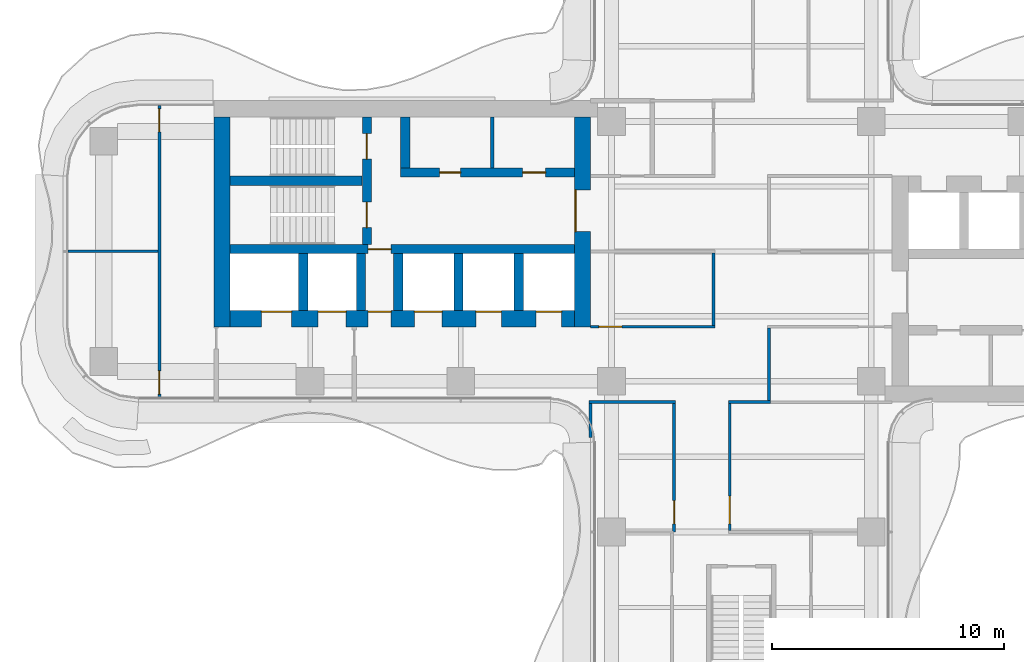
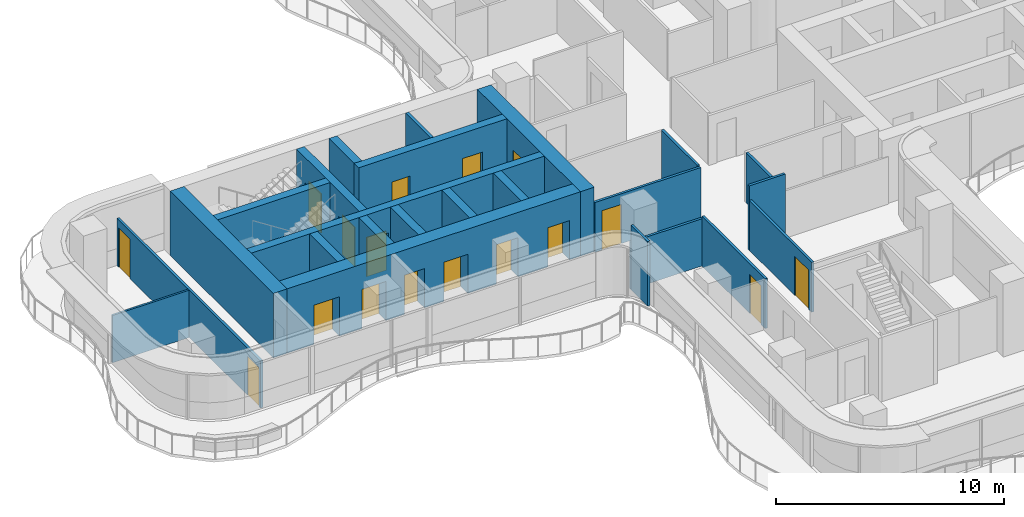
# One storey, part 12 of 17: 24 walls, 17 doors, 17 openings.
"""IFC4 building model written with IfcOpenShell, lengths in metres."""

from ifc_helpers import new_model, si_unit, direction, frame, frame_2d, origin, place, context, subcontext, project, spatial, rectangle, extrude, source, transform, mapped, material, layer, layer_set, type_object, element, fill, save


model = new_model("IFC4")

# Units and contexts
model_context = context("Model", 3, precision=1e-05, world=origin(), true_north=direction((0.0, 1.0)))
body_context = subcontext(model_context, "Body", "Model", "MODEL_VIEW")
ifc_project = project(units=[si_unit("LENGTHUNIT", "METRE"), si_unit("AREAUNIT", "SQUARE_METRE"), si_unit("VOLUMEUNIT", "CUBIC_METRE"), si_unit("PLANEANGLEUNIT", "RADIAN"), si_unit("MASSUNIT", "GRAM", prefix="KILO")], contexts=[model_context])

# Site, building, storey
site_placement = place(None, origin())
site = spatial("IfcSite", under=ifc_project, at=site_placement, CompositionType="ELEMENT")
building_placement = place(site_placement, origin())
building = spatial("IfcBuilding", under=site, at=building_placement, Name="Trellis Farm Tower", CompositionType="ELEMENT")
storey_placement = place(building_placement, frame((0.0, 0.0, 208.800048828125)))
storey = spatial("IfcBuildingStorey", under=building, at=storey_placement, Name="L46", CompositionType="ELEMENT", Elevation=208.800048828125)

# Wall, opening, door
ifc_material_1 = material(Name="Concrete C70/85", Category="concrete")
ifc_layer_1 = layer(ifc_material_1, 0.699951171875)
ifc_layer_set_1 = layer_set([ifc_layer_1], Name="CORE OUTER WALL 700 CONCRETE C70/85")
wall_type_1 = type_object("IfcWallType", Name="CORE OUTER WALL 700 CONCRETE C70/85", PredefinedType="SHEAR", material=ifc_layer_set_1)
shared_shape_1 = source(origin(), body_context, "Body", "SweptSolid", [
    extrude(rectangle(XDim=9.050048828125, YDim=0.699951171875, at=frame_2d((4.52490234375, 0.0))), origin(), (0.0, 0.0, 1.0), 3.449951171875),
])
wall_1_placement = place(storey_placement, frame((-6.85009765625, 5.800048828125, 0.0), z_axis=(0.0, 0.0, 1.0), x_axis=(0.0, -1.0, 0.0)))
wall_1 = element("IfcWall", 1, at=wall_1_placement, inside=storey, type_object=wall_type_1, Name="Core wall", PredefinedType="SHEAR", context=body_context, shape_type="MappedRepresentation", body=[
    mapped(shared_shape_1, transform((0.0, 0.0, 0.0))),
])
shared_shape_2 = source(origin(), body_context, "Body", "SweptSolid", [
    extrude(rectangle(XDim=1.800048828125, YDim=2.10009765625, at=frame_2d((0.89990234375, 1.050048828125))), frame((0.0, 0.360107421875, 0.0), z_axis=(0.0, -1.0, 0.0), x_axis=(1.0, 0.0, 0.0)), (0.0, 0.0, 1.0), 0.72021484375),
])
opening_1_placement = place(wall_1_placement, frame((3.14990234375, 0.0, 0.0)))
opening_1 = element("IfcOpeningElement", 2, at=opening_1_placement, cuts=wall_1, Name="Opening DC87", PredefinedType="OPENING", context=body_context, shape_type="MappedRepresentation", body=[
    mapped(shared_shape_2, transform((0.0, 0.0, 0.0))),
])
ifc_material_2 = material(Name="Steel", Category="steel")
door_type_1 = type_object("IfcDoorType", Name="CORE FIRE DOOR DOUBLE 1800 X 2100", OperationType="DOUBLE_DOOR_SINGLE_SWING", PredefinedType="DOOR", material=ifc_material_2)
shared_shape_3 = source(origin(), body_context, "Body", "SweptSolid", [
    extrude(rectangle(XDim=1.800048828125, YDim=2.10009765625, at=frame_2d((0.89990234375, 1.050048828125))), frame((0.0, -0.27490234375, 0.0), z_axis=(0.0, -1.0, 0.0), x_axis=(1.0, 0.0, 0.0)), (0.0, 0.0, 1.0), 0.050048828125),
])
door_1_placement = place(opening_1_placement, origin())
door_1 = element("IfcDoor", 3, at=door_1_placement, inside=storey, type_object=door_type_1, Name="Core door", OperationType="DOUBLE_DOOR_SINGLE_SWING", OverallHeight=2.10009765625, OverallWidth=1.800048828125, PredefinedType="DOOR", context=body_context, shape_type="MappedRepresentation", body=[
    mapped(shared_shape_3, transform((0.0, 0.0, 0.0))),
])
fill(opening_1, door_1)

# Walls
wall_2_placement = place(storey_placement, frame((-22.39990234375, 5.800048828125, 0.0), z_axis=(0.0, 0.0, 1.0), x_axis=(0.0, -1.0, 0.0)))
element("IfcWall", 4, at=wall_2_placement, inside=storey, type_object=wall_type_1, Name="Core wall", PredefinedType="SHEAR", context=body_context, shape_type="MappedRepresentation", body=[
    mapped(shared_shape_1, transform((0.0, 0.0, 0.0))),
])
ifc_layer_2 = layer(ifc_material_1, 0.39990234375)
ifc_layer_set_2 = layer_set([ifc_layer_2], Name="CORE INNER WALL 400 CONCRETE C70/85")
wall_type_2 = type_object("IfcWallType", Name="CORE INNER WALL 400 CONCRETE C70/85", PredefinedType="SHEAR", material=ifc_layer_set_2)
shared_shape_4 = source(origin(), body_context, "Body", "SweptSolid", [
    extrude(rectangle(XDim=2.449951171875, YDim=0.39990234375, at=frame_2d((1.22509765625, 0.0))), origin(), (0.0, 0.0, 1.0), 3.449951171875),
])
for number, where, z_axis, x_axis, name in (
    (5, (-9.60009765625, -0.10009765625, 0.0), (0.0, 0.0, 1.0), (0.0, -1.0, 0.0), "Core wall"),
    (6, (-12.199951171875, -0.10009765625, 0.0), (0.0, 0.0, 1.0), (0.0, -1.0, 0.0), "Core wall"),
    (7, (-14.800048828125, -0.10009765625, 0.0), (0.0, 0.0, 1.0), (0.0, -1.0, 0.0), "Core wall"),
    (8, (-16.39990234375, -0.10009765625, 0.0), (0.0, 0.0, 1.0), (0.0, -1.0, 0.0), "Core wall"),
    (9, (-18.89990234375, -0.10009765625, 0.0), (0.0, 0.0, 1.0), (0.0, -1.0, 0.0), "Core wall"),
):
    element("IfcWall", number, at=place(storey_placement, frame(where, z_axis=z_axis, x_axis=x_axis)), inside=storey, type_object=wall_type_2, Name=name, PredefinedType="SHEAR", context=body_context, shape_type="MappedRepresentation", body=[
        mapped(shared_shape_4, transform((0.0, 0.0, 0.0))),
    ])

# Wall, openings, doors
shared_shape_5 = source(origin(), body_context, "Body", "SweptSolid", [
    extrude(rectangle(XDim=14.85009765625, YDim=0.699951171875, at=frame_2d((7.425048828125, 0.0))), origin(), (0.0, 0.0, 1.0), 3.449951171875),
])
wall_3_placement = place(storey_placement, frame((-7.199951171875, -2.89990234375, 0.0), z_axis=(0.0, 0.0, 1.0), x_axis=(-1.0, 0.0, 0.0)))
wall_3 = element("IfcWall", 10, at=wall_3_placement, inside=storey, type_object=wall_type_1, Name="Core wall", PredefinedType="SHEAR", context=body_context, shape_type="MappedRepresentation", body=[
    mapped(shared_shape_5, transform((0.0, 0.0, 0.0))),
])
shared_shape_6 = source(origin(), body_context, "Body", "SweptSolid", [
    extrude(rectangle(XDim=1.10009765625, YDim=2.10009765625, at=frame_2d((0.550048828125, 1.050048828125))), frame((0.0, 0.360107421875, 0.0), z_axis=(0.0, -1.0, 0.0), x_axis=(1.0, 0.0, 0.0)), (0.0, 0.0, 1.0), 0.72021484375),
])
opening_2_placement = place(wall_3_placement, frame((0.550048828125, 0.0, 0.0)))
opening_2 = element("IfcOpeningElement", 11, at=opening_2_placement, cuts=wall_3, Name="Opening LD12", PredefinedType="OPENING", context=body_context, shape_type="MappedRepresentation", body=[
    mapped(shared_shape_6, transform((0.0, 0.0, 0.0))),
])
opening_3_placement = place(wall_3_placement, frame((3.14990234375, 0.0, 0.0)))
opening_3 = element("IfcOpeningElement", 12, at=opening_3_placement, cuts=wall_3, Name="Opening LD13", PredefinedType="OPENING", context=body_context, shape_type="MappedRepresentation", body=[
    mapped(shared_shape_6, transform((0.0, 0.0, 0.0))),
])
shared_shape_7 = source(origin(), body_context, "Body", "SweptSolid", [
    extrude(rectangle(XDim=1.199951171875, YDim=2.10009765625, at=frame_2d((0.60009765625, 1.050048828125))), frame((0.0, 0.360107421875, 0.0), z_axis=(0.0, -1.0, 0.0), x_axis=(1.0, 0.0, 0.0)), (0.0, 0.0, 1.0), 0.72021484375),
])
opening_4_placement = place(wall_3_placement, frame((5.699951171875, 0.0, 0.0)))
opening_4 = element("IfcOpeningElement", 13, at=opening_4_placement, cuts=wall_3, Name="Opening LD14", PredefinedType="OPENING", context=body_context, shape_type="MappedRepresentation", body=[
    mapped(shared_shape_7, transform((0.0, 0.0, 0.0))),
])
shared_shape_8 = source(origin(), body_context, "Body", "SweptSolid", [
    extrude(rectangle(XDim=1.300048828125, YDim=2.10009765625, at=frame_2d((0.64990234375, 1.050048828125))), frame((0.0, 0.360107421875, 0.0), z_axis=(0.0, -1.0, 0.0), x_axis=(1.0, 0.0, 0.0)), (0.0, 0.0, 1.0), 0.72021484375),
])
opening_5_placement = place(wall_3_placement, frame((12.199951171875, 0.0, 0.0)))
opening_5 = element("IfcOpeningElement", 14, at=opening_5_placement, cuts=wall_3, Name="Opening LD15", PredefinedType="OPENING", context=body_context, shape_type="MappedRepresentation", body=[
    mapped(shared_shape_8, transform((0.0, 0.0, 0.0))),
])
opening_6_placement = place(wall_3_placement, frame((9.85009765625, 0.0, 0.0)))
opening_6 = element("IfcOpeningElement", 15, at=opening_6_placement, cuts=wall_3, Name="Opening LD16", PredefinedType="OPENING", context=body_context, shape_type="MappedRepresentation", body=[
    mapped(shared_shape_7, transform((0.0, 0.0, 0.0))),
])
shared_shape_9 = source(origin(), body_context, "Body", "SweptSolid", [
    extrude(rectangle(XDim=1.0, YDim=2.10009765625, at=frame_2d((0.5, 1.050048828125))), frame((0.0, 0.360107421875, 0.0), z_axis=(0.0, -1.0, 0.0), x_axis=(1.0, 0.0, 0.0)), (0.0, 0.0, 1.0), 0.72021484375),
])
opening_7_placement = place(wall_3_placement, frame((7.89990234375, 0.0, 0.0)))
opening_7 = element("IfcOpeningElement", 16, at=opening_7_placement, cuts=wall_3, Name="Opening DC92", PredefinedType="OPENING", context=body_context, shape_type="MappedRepresentation", body=[
    mapped(shared_shape_9, transform((0.0, 0.0, 0.0))),
])
door_type_2 = type_object("IfcDoorType", Name="CORE FIRE DOOR 1000 X 2100", OperationType="NOTDEFINED", PredefinedType="DOOR", material=ifc_material_2)
shared_shape_10 = source(origin(), body_context, "Body", "SweptSolid", [
    extrude(rectangle(XDim=1.0, YDim=2.10009765625, at=frame_2d((0.5, 1.050048828125))), frame((0.0, -0.27490234375, 0.0), z_axis=(0.0, -1.0, 0.0), x_axis=(1.0, 0.0, 0.0)), (0.0, 0.0, 1.0), 0.050048828125),
])
door_2_placement = place(opening_7_placement, origin())
door_2 = element("IfcDoor", 17, at=door_2_placement, inside=storey, type_object=door_type_2, Name="Core door", OperationType="SINGLE_SWING_LEFT", OverallHeight=2.10009765625, OverallWidth=1.0, PredefinedType="DOOR", context=body_context, shape_type="MappedRepresentation", body=[
    mapped(shared_shape_10, transform((0.0, 0.0, 0.0))),
])
fill(opening_7, door_2)
ifc_material_3 = material(Name="Stainless steel", Category="steel")
door_type_3 = type_object("IfcDoorType", Name="LIFT LANDING DOOR 1300 X 2100", OperationType="DOUBLE_DOOR_SLIDING", PredefinedType="DOOR", material=ifc_material_3)
shared_shape_11 = source(origin(), body_context, "Body", "SweptSolid", [
    extrude(rectangle(XDim=1.300048828125, YDim=2.10009765625, at=frame_2d((0.64990234375, 1.050048828125))), frame((0.0, -0.27490234375, 0.0), z_axis=(0.0, -1.0, 0.0), x_axis=(1.0, 0.0, 0.0)), (0.0, 0.0, 1.0), 0.050048828125),
])
door_3_placement = place(opening_5_placement, origin())
door_3 = element("IfcDoor", 18, at=door_3_placement, inside=storey, type_object=door_type_3, Name="Lift landing door", OperationType="DOUBLE_DOOR_SLIDING", OverallHeight=2.10009765625, OverallWidth=1.300048828125, PredefinedType="DOOR", context=body_context, shape_type="MappedRepresentation", body=[
    mapped(shared_shape_11, transform((0.0, 0.0, 0.0))),
])
fill(opening_5, door_3)
door_type_4 = type_object("IfcDoorType", Name="LIFT LANDING DOOR 1200 X 2100", OperationType="DOUBLE_DOOR_SLIDING", PredefinedType="DOOR", material=ifc_material_3)
shared_shape_12 = source(origin(), body_context, "Body", "SweptSolid", [
    extrude(rectangle(XDim=1.199951171875, YDim=2.10009765625, at=frame_2d((0.60009765625, 1.050048828125))), frame((0.0, -0.27490234375, 0.0), z_axis=(0.0, -1.0, 0.0), x_axis=(1.0, 0.0, 0.0)), (0.0, 0.0, 1.0), 0.050048828125),
])
door_4_placement = place(opening_4_placement, origin())
door_4 = element("IfcDoor", 19, at=door_4_placement, inside=storey, type_object=door_type_4, Name="Lift landing door", OperationType="DOUBLE_DOOR_SLIDING", OverallHeight=2.10009765625, OverallWidth=1.199951171875, PredefinedType="DOOR", context=body_context, shape_type="MappedRepresentation", body=[
    mapped(shared_shape_12, transform((0.0, 0.0, 0.0))),
])
fill(opening_4, door_4)
door_5_placement = place(opening_6_placement, origin())
door_5 = element("IfcDoor", 20, at=door_5_placement, inside=storey, type_object=door_type_4, Name="Lift landing door", OperationType="DOUBLE_DOOR_SLIDING", OverallHeight=2.10009765625, OverallWidth=1.199951171875, PredefinedType="DOOR", context=body_context, shape_type="MappedRepresentation", body=[
    mapped(shared_shape_12, transform((0.0, 0.0, 0.0))),
])
fill(opening_6, door_5)
door_type_5 = type_object("IfcDoorType", Name="LIFT LANDING DOOR 1100 X 2100", OperationType="DOUBLE_DOOR_SLIDING", PredefinedType="DOOR", material=ifc_material_3)
shared_shape_13 = source(origin(), body_context, "Body", "SweptSolid", [
    extrude(rectangle(XDim=1.10009765625, YDim=2.10009765625, at=frame_2d((0.550048828125, 1.050048828125))), frame((0.0, -0.27490234375, 0.0), z_axis=(0.0, -1.0, 0.0), x_axis=(1.0, 0.0, 0.0)), (0.0, 0.0, 1.0), 0.050048828125),
])
door_6_placement = place(opening_2_placement, origin())
door_6 = element("IfcDoor", 21, at=door_6_placement, inside=storey, type_object=door_type_5, Name="Lift landing door", OperationType="DOUBLE_DOOR_SLIDING", OverallHeight=2.10009765625, OverallWidth=1.10009765625, PredefinedType="DOOR", context=body_context, shape_type="MappedRepresentation", body=[
    mapped(shared_shape_13, transform((0.0, 0.0, 0.0))),
])
fill(opening_2, door_6)
door_7_placement = place(opening_3_placement, origin())
door_7 = element("IfcDoor", 22, at=door_7_placement, inside=storey, type_object=door_type_5, Name="Lift landing door", OperationType="DOUBLE_DOOR_SLIDING", OverallHeight=2.10009765625, OverallWidth=1.10009765625, PredefinedType="DOOR", context=body_context, shape_type="MappedRepresentation", body=[
    mapped(shared_shape_13, transform((0.0, 0.0, 0.0))),
])
fill(opening_3, door_7)

shared_shape_14 = source(origin(), body_context, "Body", "SweptSolid", [
    extrude(rectangle(XDim=7.5, YDim=0.39990234375, at=frame_2d((3.75, 0.0))), origin(), (0.0, 0.0, 1.0), 3.449951171875),
])
wall_4_placement = place(storey_placement, frame((-7.199951171875, 3.39990234375, 0.0), z_axis=(0.0, 0.0, 1.0), x_axis=(-1.0, 0.0, 0.0)))
wall_4 = element("IfcWall", 23, at=wall_4_placement, inside=storey, type_object=wall_type_2, Name="Core wall", PredefinedType="SHEAR", context=body_context, shape_type="MappedRepresentation", body=[
    mapped(shared_shape_14, transform((0.0, 0.0, 0.0))),
])
shared_shape_15 = source(origin(), body_context, "Body", "SweptSolid", [
    extrude(rectangle(XDim=1.0, YDim=2.10009765625, at=frame_2d((0.5, 1.050048828125))), frame((0.0, 0.2099609375, 0.0), z_axis=(0.0, -1.0, 0.0), x_axis=(1.0, 0.0, 0.0)), (0.0, 0.0, 1.0), 0.419921875),
])
opening_8_placement = place(wall_4_placement, frame((1.237548828125, 0.0, 0.0)))
opening_8 = element("IfcOpeningElement", 24, at=opening_8_placement, cuts=wall_4, Name="Opening DC141", PredefinedType="OPENING", context=body_context, shape_type="MappedRepresentation", body=[
    mapped(shared_shape_15, transform((0.0, 0.0, 0.0))),
])
shared_shape_16 = source(origin(), body_context, "Body", "SweptSolid", [
    extrude(rectangle(XDim=0.89990234375, YDim=2.10009765625, at=frame_2d((0.449951171875, 1.050048828125))), frame((0.0, 0.2099609375, 0.0), z_axis=(0.0, -1.0, 0.0), x_axis=(1.0, 0.0, 0.0)), (0.0, 0.0, 1.0), 0.419921875),
])
opening_9_placement = place(wall_4_placement, frame((4.91259765625, 0.0, 0.0)))
opening_9 = element("IfcOpeningElement", 25, at=opening_9_placement, cuts=wall_4, Name="Opening DC146", PredefinedType="OPENING", context=body_context, shape_type="MappedRepresentation", body=[
    mapped(shared_shape_16, transform((0.0, 0.0, 0.0))),
])
shared_shape_17 = source(origin(), body_context, "Body", "SweptSolid", [
    extrude(rectangle(XDim=1.0, YDim=2.10009765625, at=frame_2d((0.5, 1.050048828125))), frame((0.0, 0.02490234375, 0.0), z_axis=(0.0, -1.0, 0.0), x_axis=(1.0, 0.0, 0.0)), (0.0, 0.0, 1.0), 0.050048828125),
])
door_8_placement = place(opening_8_placement, origin())
door_8 = element("IfcDoor", 26, at=door_8_placement, inside=storey, type_object=door_type_2, Name="Core door", OperationType="SINGLE_SWING_LEFT", OverallHeight=2.10009765625, OverallWidth=1.0, PredefinedType="DOOR", context=body_context, shape_type="MappedRepresentation", body=[
    mapped(shared_shape_17, transform((0.0, 0.0, 0.0))),
])
fill(opening_8, door_8)
door_type_6 = type_object("IfcDoorType", Name="CORE FIRE DOOR 900 X 2100", OperationType="NOTDEFINED", PredefinedType="DOOR", material=ifc_material_2)
shared_shape_18 = source(origin(), body_context, "Body", "SweptSolid", [
    extrude(rectangle(XDim=0.89990234375, YDim=2.10009765625, at=frame_2d((0.449951171875, 1.050048828125))), frame((0.0, 0.02490234375, 0.0), z_axis=(0.0, -1.0, 0.0), x_axis=(1.0, 0.0, 0.0)), (0.0, 0.0, 1.0), 0.050048828125),
])
door_9_placement = place(opening_9_placement, origin())
door_9 = element("IfcDoor", 27, at=door_9_placement, inside=storey, type_object=door_type_6, Name="Core door", OperationType="SINGLE_SWING_RIGHT", OverallHeight=2.10009765625, OverallWidth=0.89990234375, PredefinedType="DOOR", context=body_context, shape_type="MappedRepresentation", body=[
    mapped(shared_shape_18, transform((0.0, 0.0, 0.0))),
])
fill(opening_9, door_9)

# Wall, opening, door
shared_shape_19 = source(origin(), body_context, "Body", "SweptSolid", [
    extrude(rectangle(XDim=14.85009765625, YDim=0.39990234375, at=frame_2d((7.425048828125, 0.0))), origin(), (0.0, 0.0, 1.0), 3.449951171875),
])
wall_5_placement = place(storey_placement, frame((-7.199951171875, 0.10009765625, 0.0), z_axis=(0.0, 0.0, 1.0), x_axis=(-1.0, 0.0, 0.0)))
wall_5 = element("IfcWall", 28, at=wall_5_placement, inside=storey, type_object=wall_type_2, Name="Core wall", PredefinedType="SHEAR", context=body_context, shape_type="MappedRepresentation", body=[
    mapped(shared_shape_19, transform((0.0, 0.0, 0.0))),
])
opening_10_placement = place(wall_5_placement, frame((7.89990234375, 0.0, 0.0)))
opening_10 = element("IfcOpeningElement", 29, at=opening_10_placement, cuts=wall_5, Name="Opening DC91", PredefinedType="OPENING", context=body_context, shape_type="MappedRepresentation", body=[
    mapped(shared_shape_15, transform((0.0, 0.0, 0.0))),
])
door_10_placement = place(opening_10_placement, origin())
door_10 = element("IfcDoor", 30, at=door_10_placement, inside=storey, type_object=door_type_2, Name="Core door", OperationType="SINGLE_SWING_RIGHT", OverallHeight=2.10009765625, OverallWidth=1.0, PredefinedType="DOOR", context=body_context, shape_type="MappedRepresentation", body=[
    mapped(shared_shape_17, transform((0.0, 0.0, 0.0))),
])
fill(opening_10, door_10)

# Wall, openings, doors
shared_shape_20 = source(origin(), body_context, "Body", "SweptSolid", [
    extrude(rectangle(XDim=5.5, YDim=0.39990234375, at=frame_2d((2.75, 0.0))), origin(), (0.0, 0.0, 1.0), 3.449951171875),
])
wall_6_placement = place(storey_placement, frame((-16.14990234375, 5.800048828125, 0.0), z_axis=(0.0, 0.0, 1.0), x_axis=(0.0, -1.0, 0.0)))
wall_6 = element("IfcWall", 31, at=wall_6_placement, inside=storey, type_object=wall_type_2, Name="Core wall", PredefinedType="SHEAR", context=body_context, shape_type="MappedRepresentation", body=[
    mapped(shared_shape_20, transform((0.0, 0.0, 0.0))),
])
shared_shape_21 = source(origin(), body_context, "Body", "SweptSolid", [
    extrude(rectangle(XDim=1.10009765625, YDim=2.10009765625, at=frame_2d((0.550048828125, 1.050048828125))), frame((0.0, 0.2099609375, 0.0), z_axis=(0.0, -1.0, 0.0), x_axis=(1.0, 0.0, 0.0)), (0.0, 0.0, 1.0), 0.419921875),
])
opening_11_placement = place(wall_6_placement, frame((0.72509765625, 0.0, 0.0)))
opening_11 = element("IfcOpeningElement", 32, at=opening_11_placement, cuts=wall_6, Name="Opening DC88", PredefinedType="OPENING", context=body_context, shape_type="MappedRepresentation", body=[
    mapped(shared_shape_21, transform((0.0, 0.0, 0.0))),
])
opening_12_placement = place(wall_6_placement, frame((3.675048828125, 0.0, 0.0)))
opening_12 = element("IfcOpeningElement", 33, at=opening_12_placement, cuts=wall_6, Name="Opening DC89", PredefinedType="OPENING", context=body_context, shape_type="MappedRepresentation", body=[
    mapped(shared_shape_21, transform((0.0, 0.0, 0.0))),
])
door_type_7 = type_object("IfcDoorType", Name="CORE FIRE DOOR 1100 X 2100", OperationType="NOTDEFINED", PredefinedType="DOOR", material=ifc_material_2)
shared_shape_22 = source(origin(), body_context, "Body", "SweptSolid", [
    extrude(rectangle(XDim=1.10009765625, YDim=2.10009765625, at=frame_2d((0.550048828125, 1.050048828125))), frame((0.0, 0.02490234375, 0.0), z_axis=(0.0, -1.0, 0.0), x_axis=(1.0, 0.0, 0.0)), (0.0, 0.0, 1.0), 0.050048828125),
])
door_11_placement = place(opening_11_placement, origin())
door_11 = element("IfcDoor", 34, at=door_11_placement, inside=storey, type_object=door_type_7, Name="Core door", OperationType="SINGLE_SWING_RIGHT", OverallHeight=2.10009765625, OverallWidth=1.10009765625, PredefinedType="DOOR", context=body_context, shape_type="MappedRepresentation", body=[
    mapped(shared_shape_22, transform((0.0, 0.0, 0.0))),
])
fill(opening_11, door_11)
door_12_placement = place(opening_12_placement, origin())
door_12 = element("IfcDoor", 35, at=door_12_placement, inside=storey, type_object=door_type_7, Name="Core door", OperationType="SINGLE_SWING_LEFT", OverallHeight=2.10009765625, OverallWidth=1.10009765625, PredefinedType="DOOR", context=body_context, shape_type="MappedRepresentation", body=[
    mapped(shared_shape_22, transform((0.0, 0.0, 0.0))),
])
fill(opening_12, door_12)

# Walls
shared_shape_23 = source(origin(), body_context, "Body", "SweptSolid", [
    extrude(rectangle(XDim=5.699951171875, YDim=0.39990234375, at=frame_2d((2.85009765625, 0.0))), origin(), (0.0, 0.0, 1.0), 3.449951171875),
])
wall_7_placement = place(storey_placement, frame((-16.35009765625, 3.050048828125, 0.0), z_axis=(0.0, 0.0, 1.0), x_axis=(-1.0, 0.0, 0.0)))
element("IfcWall", 36, at=wall_7_placement, inside=storey, type_object=wall_type_2, Name="Core wall", PredefinedType="SHEAR", context=body_context, shape_type="MappedRepresentation", body=[
    mapped(shared_shape_23, transform((0.0, 0.0, 0.0))),
])
shared_shape_24 = source(origin(), body_context, "Body", "SweptSolid", [
    extrude(rectangle(XDim=2.199951171875, YDim=0.39990234375, at=frame_2d((1.10009765625, 0.0))), origin(), (0.0, 0.0, 1.0), 3.449951171875),
])
wall_8_placement = place(storey_placement, frame((-14.5, 5.800048828125, 0.0), z_axis=(0.0, 0.0, 1.0), x_axis=(0.0, -1.0, 0.0)))
element("IfcWall", 37, at=wall_8_placement, inside=storey, type_object=wall_type_2, Name="Core wall", PredefinedType="SHEAR", context=body_context, shape_type="MappedRepresentation", body=[
    mapped(shared_shape_24, transform((0.0, 0.0, 0.0))),
])
ifc_material_4 = material(Name="Masonry blockwork", Category="masonry")
ifc_layer_3 = layer(ifc_material_4, 0.14990234375)
ifc_layer_set_3 = layer_set([ifc_layer_3], Name="CORE PARTITION 150 BLOCKWORK")
wall_type_3 = type_object("IfcWallType", Name="CORE PARTITION 150 BLOCKWORK", PredefinedType="PARTITIONING", material=ifc_layer_set_3)
shared_shape_25 = source(origin(), body_context, "Body", "SweptSolid", [
    extrude(rectangle(XDim=2.199951171875, YDim=0.14990234375, at=frame_2d((1.10009765625, 0.0))), origin(), (0.0, 0.0, 1.0), 3.449951171875),
])
wall_9_placement = place(storey_placement, frame((-10.75, 5.800048828125, 0.0), z_axis=(0.0, 0.0, 1.0), x_axis=(0.0, -1.0, 0.0)))
element("IfcWall", 38, at=wall_9_placement, inside=storey, type_object=wall_type_3, Name="Core room partition", PredefinedType="PARTITIONING", context=body_context, shape_type="MappedRepresentation", body=[
    mapped(shared_shape_25, transform((0.0, 0.0, 0.0))),
])

# Wall, opening, door
ifc_material_5 = material(Name="Plasterboard on steel studs, mineral wool", Category="steel")
ifc_layer_4 = layer(ifc_material_5, 0.125)
ifc_layer_set_4 = layer_set([ifc_layer_4], Name="PARTITION 125 STUD EI 60")
wall_type_4 = type_object("IfcWallType", Name="PARTITION 125 STUD EI 60", PredefinedType="PARTITIONING", material=ifc_layer_set_4)
shared_shape_26 = source(origin(), body_context, "Body", "SweptSolid", [
    extrude(rectangle(XDim=5.47509765625, YDim=0.125, at=frame_2d((2.737548828125, 0.0))), origin(), (0.0, 0.0, 1.0), 2.667724609375),
])
wall_10_placement = place(storey_placement, frame((-0.5, -12.03759765625, 0.0), z_axis=(0.0, 0.0, 1.0), x_axis=(0.0, 1.0, 0.0)))
wall_10 = element("IfcWall", 39, at=wall_10_placement, inside=storey, type_object=wall_type_4, Name="Partition PW1", PredefinedType="PARTITIONING", context=body_context, shape_type="MappedRepresentation", body=[
    mapped(shared_shape_26, transform((0.0, 0.0, 0.0))),
])
shared_shape_27 = source(origin(), body_context, "Body", "SweptSolid", [
    extrude(rectangle(XDim=1.199951171875, YDim=2.10009765625, at=frame_2d((0.60009765625, 1.050048828125))), frame((0.0, 0.072509765625, 0.0), z_axis=(0.0, -1.0, 0.0), x_axis=(1.0, 0.0, 0.0)), (0.0, 0.0, 1.0), 0.14501953125),
])
opening_13_placement = place(wall_10_placement, frame((0.28759765625, 0.0, 0.0)))
opening_13 = element("IfcOpeningElement", 40, at=opening_13_placement, cuts=wall_10, Name="Opening D601", PredefinedType="OPENING", context=body_context, shape_type="MappedRepresentation", body=[
    mapped(shared_shape_27, transform((0.0, 0.0, 0.0))),
])
ifc_material_6 = material(Name="Fire-rated timber door leaf in a hollow metal frame", Category="wood")
door_type_8 = type_object("IfcDoorType", Name="DOOR 1200x2100 FD30S", OperationType="NOTDEFINED", PredefinedType="DOOR", material=ifc_material_6)
shared_shape_28 = source(origin(), body_context, "Body", "SweptSolid", [
    extrude(rectangle(XDim=1.199951171875, YDim=2.10009765625, at=frame_2d((0.60009765625, 1.050048828125))), frame((0.0, 0.02490234375, 0.0), z_axis=(0.0, -1.0, 0.0), x_axis=(1.0, 0.0, 0.0)), (0.0, 0.0, 1.0), 0.050048828125),
])
door_13_placement = place(opening_13_placement, origin())
door_13 = element("IfcDoor", 41, at=door_13_placement, inside=storey, type_object=door_type_8, Name="Door D601", OperationType="SINGLE_SWING_LEFT", OverallHeight=2.10009765625, OverallWidth=1.199951171875, PredefinedType="DOOR", context=body_context, shape_type="MappedRepresentation", body=[
    mapped(shared_shape_28, transform((0.0, 0.0, 0.0))),
])
fill(opening_13, door_13)

# Walls
shared_shape_29 = source(origin(), body_context, "Body", "SweptSolid", [
    extrude(rectangle(XDim=3.137451171875, YDim=0.125, at=frame_2d((1.56884765625, 0.0))), origin(), (0.0, 0.0, 1.0), 2.667724609375),
])
wall_11_placement = place(storey_placement, frame((1.199951171875, -3.3125, 0.0), z_axis=(0.0, 0.0, 1.0), x_axis=(0.0, -1.0, 0.0)))
element("IfcWall", 42, at=wall_11_placement, inside=storey, type_object=wall_type_4, Name="Partition PW1", PredefinedType="PARTITIONING", context=body_context, shape_type="MappedRepresentation", body=[
    mapped(shared_shape_29, transform((0.0, 0.0, 0.0))),
])
shared_shape_30 = source(origin(), body_context, "Body", "SweptSolid", [
    extrude(rectangle(XDim=3.125, YDim=0.125, at=frame_2d((1.5625, 0.0))), origin(), (0.0, 0.0, 1.0), 2.746337890625),
])
wall_12_placement = place(storey_placement, frame((-1.199951171875, -0.0625, 0.0), z_axis=(0.0, 0.0, 1.0), x_axis=(0.0, -1.0, 0.0)))
element("IfcWall", 43, at=wall_12_placement, inside=storey, type_object=wall_type_4, Name="Partition PW1", PredefinedType="PARTITIONING", context=body_context, shape_type="MappedRepresentation", body=[
    mapped(shared_shape_30, transform((0.0, 0.0, 0.0))),
])

# Wall, opening, door
shared_shape_31 = source(origin(), body_context, "Body", "SweptSolid", [
    extrude(rectangle(XDim=5.53759765625, YDim=0.125, at=frame_2d((2.768798828125, 0.0))), origin(), (0.0, 0.0, 1.0), 2.667724609375),
])
wall_13_placement = place(storey_placement, frame((-2.89990234375, -12.10009765625, 0.0), z_axis=(0.0, 0.0, 1.0), x_axis=(0.0, 1.0, 0.0)))
wall_13 = element("IfcWall", 44, at=wall_13_placement, inside=storey, type_object=wall_type_4, Name="Partition PW1", PredefinedType="PARTITIONING", context=body_context, shape_type="MappedRepresentation", body=[
    mapped(shared_shape_31, transform((0.0, 0.0, 0.0))),
])
shared_shape_32 = source(origin(), body_context, "Body", "SweptSolid", [
    extrude(rectangle(XDim=1.0, YDim=2.10009765625, at=frame_2d((0.5, 1.050048828125))), frame((0.0, 0.072509765625, 0.0), z_axis=(0.0, -1.0, 0.0), x_axis=(1.0, 0.0, 0.0)), (0.0, 0.0, 1.0), 0.14501953125),
])
opening_14_placement = place(wall_13_placement, frame((0.35009765625, 0.0, 0.0)))
opening_14 = element("IfcOpeningElement", 45, at=opening_14_placement, cuts=wall_13, Name="Opening D104", PredefinedType="OPENING", context=body_context, shape_type="MappedRepresentation", body=[
    mapped(shared_shape_32, transform((0.0, 0.0, 0.0))),
])
door_type_9 = type_object("IfcDoorType", Name="DOOR 1000x2100 FD30S", OperationType="NOTDEFINED", PredefinedType="DOOR", material=ifc_material_6)
door_14_placement = place(opening_14_placement, origin())
door_14 = element("IfcDoor", 46, at=door_14_placement, inside=storey, type_object=door_type_9, Name="Door D104", OperationType="SINGLE_SWING_LEFT", OverallHeight=2.10009765625, OverallWidth=1.0, PredefinedType="DOOR", context=body_context, shape_type="MappedRepresentation", body=[
    mapped(shared_shape_17, transform((0.0, 0.0, 0.0))),
])
fill(opening_14, door_14)

# Wall
shared_shape_33 = source(origin(), body_context, "Body", "SweptSolid", [
    extrude(rectangle(XDim=1.468994140625, YDim=0.125, at=frame_2d((0.734375, 0.0))), origin(), (0.0, 0.0, 1.0), 3.449951171875),
])
wall_14_placement = place(storey_placement, frame((-6.5, -6.5625, 0.0), z_axis=(0.0, 0.0, 1.0), x_axis=(0.0, -1.0, 0.0)))
element("IfcWall", 47, at=wall_14_placement, inside=storey, type_object=wall_type_4, Name="Partition PW1", PredefinedType="PARTITIONING", context=body_context, shape_type="MappedRepresentation", body=[
    mapped(shared_shape_33, transform((0.0, 0.0, 0.0))),
])

# Wall, openings, doors
shared_shape_34 = source(origin(), body_context, "Body", "SweptSolid", [
    extrude(rectangle(XDim=12.60009765625, YDim=0.125, at=frame_2d((6.300048828125, 0.0))), origin(), (0.0, 0.0, 1.0), 2.530029296875),
])
wall_15_placement = place(storey_placement, frame((-25.10009765625, -6.300048828125, 0.0), z_axis=(0.0, 0.0, 1.0), x_axis=(0.0, 1.0, 0.0)))
wall_15 = element("IfcWall", 48, at=wall_15_placement, inside=storey, type_object=wall_type_4, Name="Partition PW1", PredefinedType="PARTITIONING", context=body_context, shape_type="MappedRepresentation", body=[
    mapped(shared_shape_34, transform((0.0, 0.0, 0.0))),
])
opening_15_placement = place(wall_15_placement, frame((0.14990234375, 0.0, 0.0)))
opening_15 = element("IfcOpeningElement", 49, at=opening_15_placement, cuts=wall_15, Name="Opening D105", PredefinedType="OPENING", context=body_context, shape_type="MappedRepresentation", body=[
    mapped(shared_shape_32, transform((0.0, 0.0, 0.0))),
])
opening_16_placement = place(wall_15_placement, frame((11.449951171875, 0.0, 0.0)))
opening_16 = element("IfcOpeningElement", 50, at=opening_16_placement, cuts=wall_15, Name="Opening D108", PredefinedType="OPENING", context=body_context, shape_type="MappedRepresentation", body=[
    mapped(shared_shape_32, transform((0.0, 0.0, 0.0))),
])
door_15_placement = place(opening_15_placement, origin())
door_15 = element("IfcDoor", 51, at=door_15_placement, inside=storey, type_object=door_type_9, Name="Door D105", OperationType="SINGLE_SWING_LEFT", OverallHeight=2.10009765625, OverallWidth=1.0, PredefinedType="DOOR", context=body_context, shape_type="MappedRepresentation", body=[
    mapped(shared_shape_17, transform((0.0, 0.0, 0.0))),
])
fill(opening_15, door_15)
door_16_placement = place(opening_16_placement, origin())
door_16 = element("IfcDoor", 52, at=door_16_placement, inside=storey, type_object=door_type_9, Name="Door D108", OperationType="SINGLE_SWING_RIGHT", OverallHeight=2.10009765625, OverallWidth=1.0, PredefinedType="DOOR", context=body_context, shape_type="MappedRepresentation", body=[
    mapped(shared_shape_17, transform((0.0, 0.0, 0.0))),
])
fill(opening_16, door_16)

# Wall, opening, door
shared_shape_35 = source(origin(), body_context, "Body", "SweptSolid", [
    extrude(rectangle(XDim=5.362548828125, YDim=0.125, at=frame_2d((2.68115234375, 0.0))), origin(), (0.0, 0.0, 1.0), 2.667724609375),
])
wall_16_placement = place(storey_placement, frame((-1.137451171875, -3.25, 0.0), z_axis=(0.0, 0.0, 1.0), x_axis=(-1.0, 0.0, 0.0)))
wall_16 = element("IfcWall", 53, at=wall_16_placement, inside=storey, type_object=wall_type_4, Name="Partition PW1", PredefinedType="PARTITIONING", context=body_context, shape_type="MappedRepresentation", body=[
    mapped(shared_shape_35, transform((0.0, 0.0, 0.0))),
])
opening_17_placement = place(wall_16_placement, frame((4.012451171875, 0.0, 0.0)))
opening_17 = element("IfcOpeningElement", 54, at=opening_17_placement, cuts=wall_16, Name="Opening D106", PredefinedType="OPENING", context=body_context, shape_type="MappedRepresentation", body=[
    mapped(shared_shape_32, transform((0.0, 0.0, 0.0))),
])
door_17_placement = place(opening_17_placement, origin())
door_17 = element("IfcDoor", 55, at=door_17_placement, inside=storey, type_object=door_type_9, Name="Door D106", OperationType="SINGLE_SWING_RIGHT", OverallHeight=2.10009765625, OverallWidth=1.0, PredefinedType="DOOR", context=body_context, shape_type="MappedRepresentation", body=[
    mapped(shared_shape_17, transform((0.0, 0.0, 0.0))),
])
fill(opening_17, door_17)

# Walls
shared_shape_36 = source(origin(), body_context, "Body", "SweptSolid", [
    extrude(rectangle(XDim=1.824951171875, YDim=0.125, at=frame_2d((0.91259765625, 0.0))), origin(), (0.0, 0.0, 1.0), 3.449951171875),
])
wall_17_placement = place(storey_placement, frame((1.262451171875, -6.5, 0.0), z_axis=(0.0, 0.0, 1.0), x_axis=(-1.0, 0.0, 0.0)))
element("IfcWall", 56, at=wall_17_placement, inside=storey, type_object=wall_type_4, Name="Partition PW1", PredefinedType="PARTITIONING", context=body_context, shape_type="MappedRepresentation", body=[
    mapped(shared_shape_36, transform((0.0, 0.0, 0.0))),
])
shared_shape_37 = source(origin(), body_context, "Body", "SweptSolid", [
    extrude(rectangle(XDim=3.72509765625, YDim=0.125, at=frame_2d((1.862548828125, 0.0))), origin(), (0.0, 0.0, 1.0), 2.530029296875),
])
wall_18_placement = place(storey_placement, frame((-2.83740234375, -6.5, 0.0), z_axis=(0.0, 0.0, 1.0), x_axis=(-1.0, 0.0, 0.0)))
element("IfcWall", 57, at=wall_18_placement, inside=storey, type_object=wall_type_4, Name="Partition PW1", PredefinedType="PARTITIONING", context=body_context, shape_type="MappedRepresentation", body=[
    mapped(shared_shape_37, transform((0.0, 0.0, 0.0))),
])
ifc_material_7 = material(Name="Plasterboard on steel studs", Category="steel")
ifc_layer_5 = layer(ifc_material_7, 0.10009765625)
ifc_layer_set_5 = layer_set([ifc_layer_5], Name="PARTITION 100 STUD EI 30")
wall_type_5 = type_object("IfcWallType", Name="PARTITION 100 STUD EI 30", PredefinedType="PARTITIONING", material=ifc_layer_set_5)
shared_shape_38 = source(origin(), body_context, "Body", "SweptSolid", [
    extrude(rectangle(XDim=3.887451171875, YDim=0.10009765625, at=frame_2d((1.94384765625, 0.0))), origin(), (0.0, 0.0, 1.0), 2.530029296875),
])
wall_19_placement = place(storey_placement, frame((-29.050048828125, 0.0, 0.0), z_axis=(0.0, 0.0, 1.0), x_axis=(1.0, 0.0, 0.0)))
element("IfcWall", 58, at=wall_19_placement, inside=storey, type_object=wall_type_5, Name="Partition PW2", PredefinedType="PARTITIONING", context=body_context, shape_type="MappedRepresentation", body=[
    mapped(shared_shape_38, transform((0.0, 0.0, 0.0))),
])

save(model, "model.ifc")
